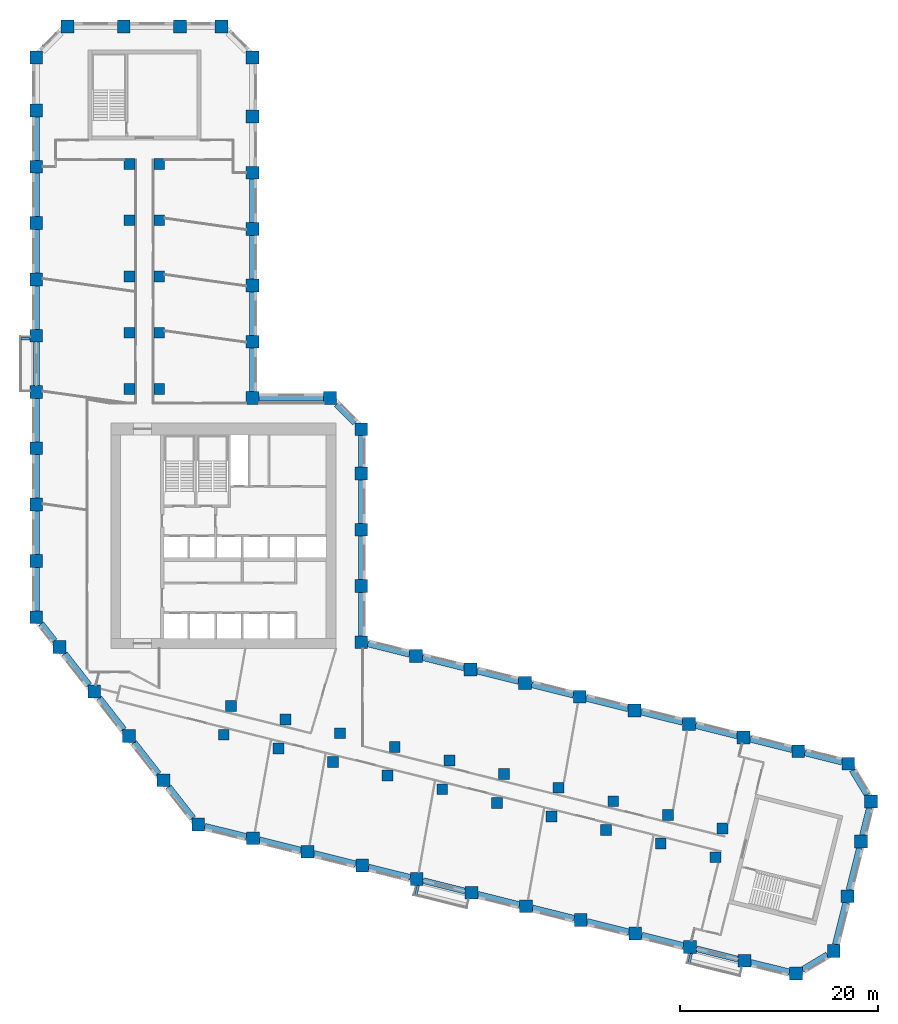
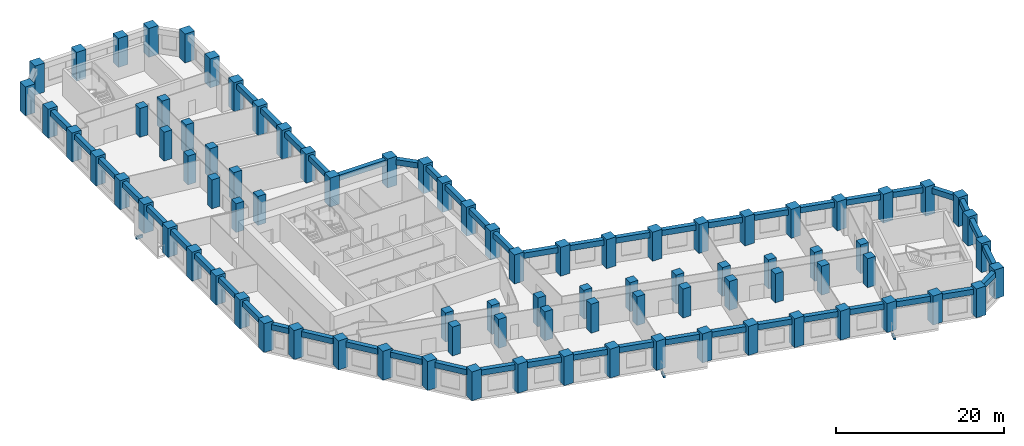
# One storey, part 1 of 10: 87 columns, 52 beams.
"""IFC4 building model written with IfcOpenShell, lengths in metres."""

from ifc_helpers import new_model, si_unit, direction, frame, origin, origin_2d, place, context, subcontext, project, spatial, rectangle, extrude, material, material_profile, profile_set, type_object, element, save


model = new_model("IFC4")

# Units and contexts
model_context = context("Model", 3, precision=1e-05, world=origin(), true_north=direction((0.0, 1.0)))
body_context = subcontext(model_context, "Body", "Model", "MODEL_VIEW")
ifc_project = project(units=[si_unit("LENGTHUNIT", "METRE"), si_unit("AREAUNIT", "SQUARE_METRE"), si_unit("VOLUMEUNIT", "CUBIC_METRE"), si_unit("PLANEANGLEUNIT", "RADIAN"), si_unit("MASSUNIT", "GRAM", prefix="KILO")], contexts=[model_context])

# Site, building, storey
site_placement = place(None, origin())
site = spatial("IfcSite", under=ifc_project, at=site_placement, CompositionType="ELEMENT")
building_placement = place(site_placement, origin())
building = spatial("IfcBuilding", under=site, at=building_placement, Name="Meshkara Civic Tower", CompositionType="ELEMENT")
storey_placement = place(building_placement, frame((0.0, 0.0, 118.199951171875)))
storey = spatial("IfcBuildingStorey", under=building, at=storey_placement, Name="L26", CompositionType="ELEMENT", Elevation=118.199951171875)

# Columns
ifc_material_1 = material(Name="Concrete C70", Category="concrete")
ifc_material_profile_1 = material_profile(ifc_material_1, rectangle(XDim=1.10009765625, YDim=1.10009765625, at=origin_2d()))
ifc_profile_set_1 = profile_set([ifc_material_profile_1], Name="Concrete C70")
column_type_1 = type_object("IfcColumnType", Name="Interior column RC 1100x1100 C70", PredefinedType="COLUMN", material=ifc_profile_set_1)
for number, where, z_axis, x_axis, name in (
    (1, (9.89990234375, 40.35009765625, 0.0), (0.0, 0.0, 1.0), (1.0, 0.0, 0.0), "Column SA1-04 L26"),
    (2, (9.89990234375, 46.050048828125, 0.0), (0.0, 0.0, 1.0), (1.0, 0.0, 0.0), "Column SA1-05 L26"),
    (3, (9.89990234375, 51.75, 0.0), (0.0, 0.0, 1.0), (1.0, 0.0, 0.0), "Column SA1-06 L26"),
    (4, (9.89990234375, 57.449951171875, 0.0), (0.0, 0.0, 1.0), (1.0, 0.0, 0.0), "Column SA1-07 L26"),
    (5, (9.89990234375, 63.14990234375, 0.0), (0.0, 0.0, 1.0), (1.0, 0.0, 0.0), "Column SA1-08 L26"),
    (6, (12.89990234375, 40.35009765625, 0.0), (0.0, 0.0, 1.0), (1.0, 0.0, 0.0), "Column SA2-04 L26"),
    (7, (12.89990234375, 46.050048828125, 0.0), (0.0, 0.0, 1.0), (1.0, 0.0, 0.0), "Column SA2-05 L26"),
    (8, (12.89990234375, 51.75, 0.0), (0.0, 0.0, 1.0), (1.0, 0.0, 0.0), "Column SA2-06 L26"),
    (9, (12.89990234375, 57.449951171875, 0.0), (0.0, 0.0, 1.0), (1.0, 0.0, 0.0), "Column SA2-07 L26"),
    (10, (12.89990234375, 63.14990234375, 0.0), (0.0, 0.0, 1.0), (1.0, 0.0, 0.0), "Column SA2-08 L26"),
    (11, (19.424072265625, 5.360107421875, 0.0), (0.0, 0.0, 1.0), (1.0, 0.0, 0.0), "Column SB1-00 L26"),
    (12, (24.9541015625, 3.98095703125, 0.0), (0.0, 0.0, 1.0), (1.0, 0.0, 0.0), "Column SB1-01 L26"),
    (13, (30.485107421875, 2.60205078125, 0.0), (0.0, 0.0, 1.0), (1.0, 0.0, 0.0), "Column SB1-02 L26"),
    (14, (36.01611328125, 1.222900390625, 0.0), (0.0, 0.0, 1.0), (1.0, 0.0, 0.0), "Column SB1-03 L26"),
    (15, (41.5458984375, -0.156005859375, 0.0), (0.0, 0.0, 1.0), (1.0, 0.0, 0.0), "Column SB1-04 L26"),
    (16, (47.076904296875, -1.534912109375, 0.0), (0.0, 0.0, 1.0), (1.0, 0.0, 0.0), "Column SB1-05 L26"),
    (17, (52.60791015625, -2.9140625, 0.0), (0.0, 0.0, 1.0), (1.0, 0.0, 0.0), "Column SB1-06 L26"),
    (18, (58.138916015625, -4.2919921875, 0.0), (0.0, 0.0, 1.0), (1.0, 0.0, 0.0), "Column SB1-07 L26"),
    (19, (63.6689453125, -5.6708984375, 0.0), (0.0, 0.0, 1.0), (1.0, 0.0, 0.0), "Column SB1-08 L26"),
    (20, (69.199951171875, -7.050048828125, 0.0), (0.0, 0.0, 1.0), (1.0, 0.0, 0.0), "Column SB1-09 L26"),
    (21, (20.14892578125, 8.27099609375, 0.0), (0.0, 0.0, 1.0), (1.0, 0.0, 0.0), "Column SB2-00 L26"),
    (22, (25.679931640625, 6.89208984375, 0.0), (0.0, 0.0, 1.0), (1.0, 0.0, 0.0), "Column SB2-01 L26"),
    (23, (31.2109375, 5.512939453125, 0.0), (0.0, 0.0, 1.0), (1.0, 0.0, 0.0), "Column SB2-02 L26"),
    (24, (36.741943359375, 4.134033203125, 0.0), (0.0, 0.0, 1.0), (1.0, 0.0, 0.0), "Column SB2-03 L26"),
    (25, (42.27197265625, 2.7548828125, 0.0), (0.0, 0.0, 1.0), (1.0, 0.0, 0.0), "Column SB2-04 L26"),
    (26, (47.802978515625, 1.3759765625, 0.0), (0.0, 0.0, 1.0), (1.0, 0.0, 0.0), "Column SB2-05 L26"),
    (27, (53.333984375, -0.0029296875, 0.0), (0.0, 0.0, 1.0), (1.0, 0.0, 0.0), "Column SB2-06 L26"),
    (28, (58.864013671875, -1.382080078125, 0.0), (0.0, 0.0, 1.0), (1.0, 0.0, 0.0), "Column SB2-07 L26"),
    (29, (64.39501953125, -2.760986328125, 0.0), (0.0, 0.0, 1.0), (1.0, 0.0, 0.0), "Column SB2-08 L26"),
    (30, (69.926025390625, -4.139892578125, 0.0), (0.0, 0.0, 1.0), (1.0, 0.0, 0.0), "Column SB2-09 L26"),
):
    element("IfcColumn", number, at=place(storey_placement, frame(where, z_axis=z_axis, x_axis=x_axis)), inside=storey, type_object=column_type_1, Name=name, PredefinedType="COLUMN", context=body_context, shape_type="SweptSolid", body=[
        extrude(rectangle(XDim=1.10009765625, YDim=1.10009765625, at=origin_2d()), origin(), (0.0, 0.0, 1.0), 4.199951171875),
    ])
ifc_material_2 = material(Name="Concrete C70", Category="concrete")
ifc_material_profile_2 = material_profile(ifc_material_2, rectangle(XDim=1.300048828125, YDim=1.300048828125, at=origin_2d()))
ifc_profile_set_2 = profile_set([ifc_material_profile_2], Name="Concrete C70")
column_type_2 = type_object("IfcColumnType", Name="Perimeter column RC 1300x1300 C70", PredefinedType="COLUMN", material=ifc_profile_set_2)
for number, where, z_axis, x_axis, name in (
    (31, (33.35009765625, 14.718994140625, 0.0), (0.0, 0.0, 1.0), (1.0, 0.0, 0.0), "Column HE00 L26"),
    (32, (33.35009765625, 20.4189453125, 0.0), (0.0, 0.0, 1.0), (1.0, 0.0, 0.0), "Column HE01 L26"),
    (33, (33.35009765625, 26.118896484375, 0.0), (0.0, 0.0, 1.0), (1.0, 0.0, 0.0), "Column HE02 L26"),
    (34, (33.35009765625, 31.819091796875, 0.0), (0.0, 0.0, 1.0), (1.0, 0.0, 0.0), "Column HE03 L26"),
    (35, (33.35009765625, 36.2939453125, 0.0), (0.0, 0.0, 1.0), (1.0, 0.0, 0.0), "Column HEE L26"),
    (36, (30.194091796875, 39.449951171875, 0.0), (0.0, 0.0, 1.0), (1.0, 0.0, 0.0), "Column HCeE L26"),
    (37, (22.35009765625, 39.449951171875, 0.0), (0.0, 0.0, 1.0), (1.0, 0.0, 0.0), "Column HN00 L26"),
    (38, (22.35009765625, 45.14990234375, 0.0), (0.0, 0.0, 1.0), (1.0, 0.0, 0.0), "Column AE01 L26"),
    (39, (22.35009765625, 50.85009765625, 0.0), (0.0, 0.0, 1.0), (1.0, 0.0, 0.0), "Column AE02 L26"),
    (40, (22.35009765625, 56.550048828125, 0.0), (0.0, 0.0, 1.0), (1.0, 0.0, 0.0), "Column AE03 L26"),
    (41, (22.35009765625, 62.25, 0.0), (0.0, 0.0, 1.0), (1.0, 0.0, 0.0), "Column AE04 L26"),
    (42, (22.35009765625, 67.949951171875, 0.0), (0.0, 0.0, 1.0), (1.0, 0.0, 0.0), "Column AE05 L26"),
    (43, (22.35009765625, 73.9140625, 0.0), (0.0, 0.0, 1.0), (1.0, 0.0, 0.0), "Column AEEP1 L26"),
    (44, (19.194091796875, 77.070068359375, 0.0), (0.0, 0.0, 1.0), (1.0, 0.0, 0.0), "Column ATiEP1 L26"),
    (45, (3.60595703125, 77.070068359375, 0.0), (0.0, 0.0, 1.0), (1.0, 0.0, 0.0), "Column AT00-P1 L26"),
    (46, (9.305908203125, 77.070068359375, 0.0), (0.0, 0.0, 1.0), (1.0, 0.0, 0.0), "Column AT01-P1 L26"),
    (47, (15.006103515625, 77.070068359375, 0.0), (0.0, 0.0, 1.0), (1.0, 0.0, 0.0), "Column AT02-P1 L26"),
    (48, (0.449951171875, 73.9140625, 0.0), (0.0, 0.0, 1.0), (1.0, 0.0, 0.0), "Column ATo00-P1 L26"),
    (49, (0.449951171875, 17.2548828125, 0.0), (0.0, 0.0, 1.0), (1.0, 0.0, 0.0), "Column AW00 L26"),
    (50, (0.449951171875, 22.955078125, 0.0), (0.0, 0.0, 1.0), (1.0, 0.0, 0.0), "Column AW01 L26"),
    (51, (0.449951171875, 28.655029296875, 0.0), (0.0, 0.0, 1.0), (1.0, 0.0, 0.0), "Column AW02 L26"),
    (52, (0.449951171875, 34.35498046875, 0.0), (0.0, 0.0, 1.0), (1.0, 0.0, 0.0), "Column AW03 L26"),
    (53, (0.449951171875, 40.054931640625, 0.0), (0.0, 0.0, 1.0), (1.0, 0.0, 0.0), "Column AW04 L26"),
    (54, (0.449951171875, 45.7548828125, 0.0), (0.0, 0.0, 1.0), (1.0, 0.0, 0.0), "Column AW05 L26"),
    (55, (0.449951171875, 51.455078125, 0.0), (0.0, 0.0, 1.0), (1.0, 0.0, 0.0), "Column AW06 L26"),
    (56, (0.449951171875, 57.155029296875, 0.0), (0.0, 0.0, 1.0), (1.0, 0.0, 0.0), "Column AW07 L26"),
    (57, (0.449951171875, 62.85498046875, 0.0), (0.0, 0.0, 1.0), (1.0, 0.0, 0.0), "Column AW08 L26"),
    (58, (0.449951171875, 68.554931640625, 0.0), (0.0, 0.0, 1.0), (1.0, 0.0, 0.0), "Column AW09 L26"),
    (59, (16.85107421875, -3.738037109375, 0.0), (0.0, 0.0, 1.0), (1.0, 0.0, 0.0), "Column BOW00 L26"),
    (60, (13.342041015625, 0.75390625, 0.0), (0.0, 0.0, 1.0), (1.0, 0.0, 0.0), "Column BOW01 L26"),
    (61, (9.8330078125, 5.2451171875, 0.0), (0.0, 0.0, 1.0), (1.0, 0.0, 0.0), "Column BOW02 L26"),
    (62, (6.322998046875, 9.737060546875, 0.0), (0.0, 0.0, 1.0), (1.0, 0.0, 0.0), "Column BOW03 L26"),
    (63, (2.81396484375, 14.22900390625, 0.0), (0.0, 0.0, 1.0), (1.0, 0.0, 0.0), "Column BOW04 L26"),
    (64, (22.382080078125, -5.116943359375, 0.0), (0.0, 0.0, 1.0), (1.0, 0.0, 0.0), "Column BS01 L26"),
    (65, (27.912109375, -6.49609375, 0.0), (0.0, 0.0, 1.0), (1.0, 0.0, 0.0), "Column BS02 L26"),
    (66, (33.443115234375, -7.875, 0.0), (0.0, 0.0, 1.0), (1.0, 0.0, 0.0), "Column BS03 L26"),
    (67, (38.97412109375, -9.2529296875, 0.0), (0.0, 0.0, 1.0), (1.0, 0.0, 0.0), "Column BS04-P1 L26"),
    (68, (44.5048828125, -10.632080078125, 0.0), (0.0, 0.0, 1.0), (1.0, 0.0, 0.0), "Column BS05 L26"),
    (69, (50.034912109375, -12.010986328125, 0.0), (0.0, 0.0, 1.0), (1.0, 0.0, 0.0), "Column BS06 L26"),
    (70, (55.56591796875, -13.389892578125, 0.0), (0.0, 0.0, 1.0), (1.0, 0.0, 0.0), "Column BS07 L26"),
    (71, (61.096923828125, -14.76904296875, 0.0), (0.0, 0.0, 1.0), (1.0, 0.0, 0.0), "Column BS08 L26"),
    (72, (66.626953125, -16.14794921875, 0.0), (0.0, 0.0, 1.0), (1.0, 0.0, 0.0), "Column BS09 L26"),
    (73, (72.157958984375, -17.527099609375, 0.0), (0.0, 0.0, 1.0), (1.0, 0.0, 0.0), "Column BS10 L26"),
    (74, (77.35791015625, -18.822998046875, 0.0), (0.0, 0.0, 1.0), (1.0, 0.0, 0.0), "Column BSEP1 L26"),
    (75, (81.18310546875, -16.52392578125, 0.0), (0.0, 0.0, 1.0), (1.0, 0.0, 0.0), "Column BToEP1 L26"),
    (76, (82.56201171875, -10.992919921875, 0.0), (0.0, 0.0, 1.0), (1.0, 0.0, 0.0), "Column BT01-P1 L26"),
    (77, (83.94091796875, -5.462890625, 0.0), (0.0, 0.0, 1.0), (1.0, 0.0, 0.0), "Column BT02-P1 L26"),
    (78, (84.9541015625, -1.39990234375, 0.0), (0.0, 0.0, 1.0), (1.0, 0.0, 0.0), "Column BTEP1 L26"),
    (79, (82.655029296875, 2.425048828125, 0.0), (0.0, 0.0, 1.0), (1.0, 0.0, 0.0), "Column BTi00-P1 L26"),
    (80, (38.881103515625, 13.340087890625, 0.0), (0.0, 0.0, 1.0), (1.0, 0.0, 0.0), "Column BN01 L26"),
    (81, (44.410888671875, 11.9609375, 0.0), (0.0, 0.0, 1.0), (1.0, 0.0, 0.0), "Column BN02 L26"),
    (82, (49.94189453125, 10.58203125, 0.0), (0.0, 0.0, 1.0), (1.0, 0.0, 0.0), "Column BN03 L26"),
    (83, (55.472900390625, 9.202880859375, 0.0), (0.0, 0.0, 1.0), (1.0, 0.0, 0.0), "Column BN04 L26"),
    (84, (61.0029296875, 7.823974609375, 0.0), (0.0, 0.0, 1.0), (1.0, 0.0, 0.0), "Column BN05 L26"),
    (85, (66.533935546875, 6.445068359375, 0.0), (0.0, 0.0, 1.0), (1.0, 0.0, 0.0), "Column BN06 L26"),
    (86, (72.06494140625, 5.06591796875, 0.0), (0.0, 0.0, 1.0), (1.0, 0.0, 0.0), "Column BN07 L26"),
    (87, (77.594970703125, 3.68701171875, 0.0), (0.0, 0.0, 1.0), (1.0, 0.0, 0.0), "Column BN08 L26"),
):
    element("IfcColumn", number, at=place(storey_placement, frame(where, z_axis=z_axis, x_axis=x_axis)), inside=storey, type_object=column_type_2, Name=name, PredefinedType="COLUMN", context=body_context, shape_type="SweptSolid", body=[
        extrude(rectangle(XDim=1.300048828125, YDim=1.300048828125, at=origin_2d()), origin(), (0.0, 0.0, 1.0), 4.199951171875),
    ])

# Beams
ifc_material_3 = material(Name="Concrete C50", Category="concrete")
ifc_material_profile_3 = material_profile(ifc_material_3, rectangle(XDim=0.25, YDim=0.39990234375, at=origin_2d()))
ifc_profile_set_3 = profile_set([ifc_material_profile_3], Name="Concrete C50")
beam_type_1 = type_object("IfcBeamType", Name="Balcony bracket beam RC 250x400 C50", PredefinedType="BEAM", material=ifc_profile_set_3)
beam_1_placement = place(storey_placement, frame((-0.195068359375, 45.455078125, -0.5), z_axis=(-1.0, 0.0, 0.0), x_axis=(0.0, -1.0, 0.0)))
element("IfcBeam", 88, at=beam_1_placement, inside=storey, type_object=beam_type_1, Name="Balcony bracket beam", PredefinedType="BEAM", context=body_context, shape_type="SweptSolid", body=[
    extrude(rectangle(XDim=0.25, YDim=0.39990234375, at=origin_2d()), origin(), (0.0, 0.0, 1.0), 0.905029296875),
])
beam_2_placement = place(storey_placement, frame((39.1220703125, -9.89794921875, -0.5), z_axis=(-0.24169832891, -0.970351440357, 0.0), x_axis=(0.970351440357, -0.24169832891, 0.0)))
element("IfcBeam", 89, at=beam_2_placement, inside=storey, type_object=beam_type_1, Name="Balcony bracket beam", PredefinedType="BEAM", context=body_context, shape_type="SweptSolid", body=[
    extrude(rectangle(XDim=0.25, YDim=0.39990234375, at=origin_2d()), origin(), (0.0, 0.0, 1.0), 0.960693359375),
])
beam_3_placement = place(storey_placement, frame((66.77490234375, -16.79296875, -0.5), z_axis=(-0.241697450497, -0.970351659154, 0.0), x_axis=(0.970351659154, -0.241697450497, 0.0)))
element("IfcBeam", 90, at=beam_3_placement, inside=storey, type_object=beam_type_1, Name="Balcony bracket beam", PredefinedType="BEAM", context=body_context, shape_type="SweptSolid", body=[
    extrude(rectangle(XDim=0.25, YDim=0.39990234375, at=origin_2d()), origin(), (0.0, 0.0, 1.0), 0.959716796875),
])
ifc_material_4 = material(Name="Concrete C70", Category="concrete")
ifc_material_profile_4 = material_profile(ifc_material_4, rectangle(XDim=0.60009765625, YDim=0.800048828125, at=origin_2d()))
ifc_profile_set_4 = profile_set([ifc_material_profile_4], Name="Concrete C70")
beam_type_2 = type_object("IfcBeamType", Name="Spandrel beam RC 600x800 C70", PredefinedType="BEAM", material=ifc_profile_set_4)
beam_4_placement = place(storey_placement, frame((76.949951171875, 3.847900390625, 3.5), z_axis=(-0.970293497888, 0.241930832999, 0.0), x_axis=(-0.241930832999, -0.970293497888, 0.0)))
element("IfcBeam", 91, at=beam_4_placement, inside=storey, type_object=beam_type_2, Name="Spandrel beam BN07-BN08", PredefinedType="BEAM", context=body_context, shape_type="SweptSolid", body=[
    extrude(rectangle(XDim=0.60009765625, YDim=0.800048828125, at=origin_2d()), origin(), (0.0, 0.0, 1.0), 4.36962890625),
])
for number, where, z_axis, x_axis, name in (
    (92, (71.419921875, 5.226806640625, 3.5), (-0.970293463154, 0.241930972304, 0.0), (-0.241930972304, -0.970293463154, 0.0), "Spandrel beam BN06-BN07"),
    (93, (65.888916015625, 6.605712890625, 3.5), (-0.970293463154, 0.241930972304, 0.0), (-0.241930972304, -0.970293463154, 0.0), "Spandrel beam BN05-BN06"),
):
    element("IfcBeam", number, at=place(storey_placement, frame(where, z_axis=z_axis, x_axis=x_axis)), inside=storey, type_object=beam_type_2, Name=name, PredefinedType="BEAM", context=body_context, shape_type="SweptSolid", body=[
        extrude(rectangle(XDim=0.60009765625, YDim=0.800048828125, at=origin_2d()), origin(), (0.0, 0.0, 1.0), 4.37060546875),
    ])
beam_5_placement = place(storey_placement, frame((60.35791015625, 7.98486328125, 3.5), z_axis=(-0.970293497888, 0.241930832999, 0.0), x_axis=(-0.241930832999, -0.970293497888, 0.0)))
element("IfcBeam", 94, at=beam_5_placement, inside=storey, type_object=beam_type_2, Name="Spandrel beam BN04-BN05", PredefinedType="BEAM", context=body_context, shape_type="SweptSolid", body=[
    extrude(rectangle(XDim=0.60009765625, YDim=0.800048828125, at=origin_2d()), origin(), (0.0, 0.0, 1.0), 4.36962890625),
])
for number, where, z_axis, x_axis, name in (
    (95, (54.827880859375, 9.36376953125, 3.5), (-0.970293463154, 0.241930972304, 0.0), (-0.241930972304, -0.970293463154, 0.0), "Spandrel beam BN03-BN04"),
    (96, (49.296875, 10.742919921875, 3.5), (-0.970293463154, 0.241930972304, 0.0), (-0.241930972304, -0.970293463154, 0.0), "Spandrel beam BN02-BN03"),
):
    element("IfcBeam", number, at=place(storey_placement, frame(where, z_axis=z_axis, x_axis=x_axis)), inside=storey, type_object=beam_type_2, Name=name, PredefinedType="BEAM", context=body_context, shape_type="SweptSolid", body=[
        extrude(rectangle(XDim=0.60009765625, YDim=0.800048828125, at=origin_2d()), origin(), (0.0, 0.0, 1.0), 4.37060546875),
    ])
beam_6_placement = place(storey_placement, frame((43.765869140625, 12.121826171875, 3.5), z_axis=(-0.970280380753, 0.241983434817, 0.0), x_axis=(-0.241983434817, -0.970280380753, 0.0)))
element("IfcBeam", 97, at=beam_6_placement, inside=storey, type_object=beam_type_2, Name="Spandrel beam BN01-BN02", PredefinedType="BEAM", context=body_context, shape_type="SweptSolid", body=[
    extrude(rectangle(XDim=0.60009765625, YDim=0.800048828125, at=origin_2d()), origin(), (0.0, 0.0, 1.0), 4.36962890625),
])
beam_7_placement = place(storey_placement, frame((38.23583984375, 13.500732421875, 3.5), z_axis=(-0.970293463154, 0.241930972304, 0.0), x_axis=(-0.241930972304, -0.970293463154, 0.0)))
element("IfcBeam", 98, at=beam_7_placement, inside=storey, type_object=beam_type_2, Name="Spandrel beam BN01-HE00", PredefinedType="BEAM", context=body_context, shape_type="SweptSolid", body=[
    extrude(rectangle(XDim=0.60009765625, YDim=0.800048828125, at=origin_2d()), origin(), (0.0, 0.0, 1.0), 4.37060546875),
])
beam_8_placement = place(storey_placement, frame((33.35009765625, 15.364013671875, 3.5), z_axis=(0.0, 1.0, 0.0), x_axis=(-1.0, 0.0, 0.0)))
element("IfcBeam", 99, at=beam_8_placement, inside=storey, type_object=beam_type_2, Name="Spandrel beam HE00-HE01", PredefinedType="BEAM", context=body_context, shape_type="SweptSolid", body=[
    extrude(rectangle(XDim=0.60009765625, YDim=0.800048828125, at=origin_2d()), origin(), (0.0, 0.0, 1.0), 4.409912109375),
])
for number, where, z_axis, x_axis, name in (
    (100, (33.35009765625, 21.06396484375, 3.5), (0.0, 1.0, 0.0), (-1.0, 0.0, 0.0), "Spandrel beam HE01-HE02"),
    (101, (33.35009765625, 26.763916015625, 3.5), (0.0, 1.0, 0.0), (-1.0, 0.0, 0.0), "Spandrel beam HE02-HE03"),
):
    element("IfcBeam", number, at=place(storey_placement, frame(where, z_axis=z_axis, x_axis=x_axis)), inside=storey, type_object=beam_type_2, Name=name, PredefinedType="BEAM", context=body_context, shape_type="SweptSolid", body=[
        extrude(rectangle(XDim=0.60009765625, YDim=0.800048828125, at=origin_2d()), origin(), (0.0, 0.0, 1.0), 4.41015625),
    ])
beam_9_placement = place(storey_placement, frame((33.35009765625, 32.464111328125, 3.5), z_axis=(0.0, 1.0, 0.0), x_axis=(-1.0, 0.0, 0.0)))
element("IfcBeam", 102, at=beam_9_placement, inside=storey, type_object=beam_type_2, Name="Spandrel beam HE03-HEE", PredefinedType="BEAM", context=body_context, shape_type="SweptSolid", body=[
    extrude(rectangle(XDim=0.60009765625, YDim=0.800048828125, at=origin_2d()), origin(), (0.0, 0.0, 1.0), 3.184814453125),
])
beam_10_placement = place(storey_placement, frame((32.70361328125, 36.9404296875, 3.5), z_axis=(-0.707106781187, 0.707106781187, 0.0), x_axis=(-0.707106781187, -0.707106781187, 0.0)))
element("IfcBeam", 103, at=beam_10_placement, inside=storey, type_object=beam_type_2, Name="Spandrel beam HCeE-HEE", PredefinedType="BEAM", context=body_context, shape_type="SweptSolid", body=[
    extrude(rectangle(XDim=0.60009765625, YDim=0.800048828125, at=origin_2d()), origin(), (0.0, 0.0, 1.0), 2.634765625),
])
beam_11_placement = place(storey_placement, frame((29.549072265625, 39.449951171875, 3.5), z_axis=(-1.0, 0.0, 0.0), x_axis=(0.0, -1.0, 0.0)))
element("IfcBeam", 104, at=beam_11_placement, inside=storey, type_object=beam_type_2, Name="Spandrel beam HCeE-HN00", PredefinedType="BEAM", context=body_context, shape_type="SweptSolid", body=[
    extrude(rectangle(XDim=0.60009765625, YDim=0.800048828125, at=origin_2d()), origin(), (0.0, 0.0, 1.0), 6.553955078125),
])
beam_12_placement = place(storey_placement, frame((22.35009765625, 40.094970703125, 3.5), z_axis=(0.0, 1.0, 0.0), x_axis=(-1.0, 0.0, 0.0)))
element("IfcBeam", 105, at=beam_12_placement, inside=storey, type_object=beam_type_2, Name="Spandrel beam AE01-HN00", PredefinedType="BEAM", context=body_context, shape_type="SweptSolid", body=[
    extrude(rectangle(XDim=0.60009765625, YDim=0.800048828125, at=origin_2d()), origin(), (0.0, 0.0, 1.0), 4.409912109375),
])
beam_13_placement = place(storey_placement, frame((22.35009765625, 45.794921875, 3.5), z_axis=(0.0, 1.0, 0.0), x_axis=(-1.0, 0.0, 0.0)))
element("IfcBeam", 106, at=beam_13_placement, inside=storey, type_object=beam_type_2, Name="Spandrel beam AE01-AE02", PredefinedType="BEAM", context=body_context, shape_type="SweptSolid", body=[
    extrude(rectangle(XDim=0.60009765625, YDim=0.800048828125, at=origin_2d()), origin(), (0.0, 0.0, 1.0), 4.41015625),
])
for number, where, z_axis, x_axis, name in (
    (107, (22.35009765625, 51.4951171875, 3.5), (0.0, 1.0, 0.0), (-1.0, 0.0, 0.0), "Spandrel beam AE02-AE03"),
    (108, (22.35009765625, 57.195068359375, 3.5), (0.0, 1.0, 0.0), (-1.0, 0.0, 0.0), "Spandrel beam AE03-AE04"),
    (109, (0.449951171875, 67.909912109375, 3.5), (0.0, -1.0, 0.0), (1.0, 0.0, 0.0), "Spandrel beam AW08-AW09"),
    (110, (0.449951171875, 62.2099609375, 3.5), (0.0, -1.0, 0.0), (1.0, 0.0, 0.0), "Spandrel beam AW07-AW08"),
    (111, (0.449951171875, 56.510009765625, 3.5), (0.0, -1.0, 0.0), (1.0, 0.0, 0.0), "Spandrel beam AW06-AW07"),
):
    element("IfcBeam", number, at=place(storey_placement, frame(where, z_axis=z_axis, x_axis=x_axis)), inside=storey, type_object=beam_type_2, Name=name, PredefinedType="BEAM", context=body_context, shape_type="SweptSolid", body=[
        extrude(rectangle(XDim=0.60009765625, YDim=0.800048828125, at=origin_2d()), origin(), (0.0, 0.0, 1.0), 4.409912109375),
    ])
for number, where, z_axis, x_axis, name in (
    (112, (0.449951171875, 50.81005859375, 3.5), (0.0, -1.0, 0.0), (1.0, 0.0, 0.0), "Spandrel beam AW05-AW06"),
    (113, (0.449951171875, 45.110107421875, 3.5), (0.0, -1.0, 0.0), (1.0, 0.0, 0.0), "Spandrel beam AW04-AW05"),
):
    element("IfcBeam", number, at=place(storey_placement, frame(where, z_axis=z_axis, x_axis=x_axis)), inside=storey, type_object=beam_type_2, Name=name, PredefinedType="BEAM", context=body_context, shape_type="SweptSolid", body=[
        extrude(rectangle(XDim=0.60009765625, YDim=0.800048828125, at=origin_2d()), origin(), (0.0, 0.0, 1.0), 4.41015625),
    ])
for number, where, z_axis, x_axis, name in (
    (114, (0.449951171875, 39.409912109375, 3.5), (0.0, -1.0, 0.0), (1.0, 0.0, 0.0), "Spandrel beam AW03-AW04"),
    (115, (0.449951171875, 33.7099609375, 3.5), (0.0, -1.0, 0.0), (1.0, 0.0, 0.0), "Spandrel beam AW02-AW03"),
    (116, (0.449951171875, 28.010009765625, 3.5), (0.0, -1.0, 0.0), (1.0, 0.0, 0.0), "Spandrel beam AW01-AW02"),
):
    element("IfcBeam", number, at=place(storey_placement, frame(where, z_axis=z_axis, x_axis=x_axis)), inside=storey, type_object=beam_type_2, Name=name, PredefinedType="BEAM", context=body_context, shape_type="SweptSolid", body=[
        extrude(rectangle(XDim=0.60009765625, YDim=0.800048828125, at=origin_2d()), origin(), (0.0, 0.0, 1.0), 4.409912109375),
    ])
beam_14_placement = place(storey_placement, frame((0.449951171875, 22.31005859375, 3.5), z_axis=(0.0, -1.0, 0.0), x_axis=(1.0, 0.0, 0.0)))
element("IfcBeam", 117, at=beam_14_placement, inside=storey, type_object=beam_type_2, Name="Spandrel beam AW00-AW01", PredefinedType="BEAM", context=body_context, shape_type="SweptSolid", body=[
    extrude(rectangle(XDim=0.60009765625, YDim=0.800048828125, at=origin_2d()), origin(), (0.0, 0.0, 1.0), 4.41015625),
])
beam_15_placement = place(storey_placement, frame((0.95458984375, 16.60888671875, 3.5), z_axis=(0.61568279769, -0.787994094286, 0.0), x_axis=(0.787994094286, 0.61568279769, 0.0)))
element("IfcBeam", 118, at=beam_15_placement, inside=storey, type_object=beam_type_2, Name="Spandrel beam AW00-BOW04", PredefinedType="BEAM", context=body_context, shape_type="SweptSolid", body=[
    extrude(rectangle(XDim=0.60009765625, YDim=0.800048828125, at=origin_2d()), origin(), (0.0, 0.0, 1.0), 2.200439453125),
])
beam_16_placement = place(storey_placement, frame((3.318603515625, 13.5830078125, 3.5), z_axis=(0.615612539127, -0.788048984309, 0.0), x_axis=(0.788048984309, 0.615612539127, 0.0)))
element("IfcBeam", 119, at=beam_16_placement, inside=storey, type_object=beam_type_2, Name="Spandrel beam BOW03-BOW04", PredefinedType="BEAM", context=body_context, shape_type="SweptSolid", body=[
    extrude(rectangle(XDim=0.60009765625, YDim=0.800048828125, at=origin_2d()), origin(), (0.0, 0.0, 1.0), 4.060546875),
])
beam_17_placement = place(storey_placement, frame((6.827880859375, 9.0908203125, 3.5), z_axis=(0.615716376188, -0.787967857272, 0.0), x_axis=(0.787967857272, 0.615716376188, 0.0)))
element("IfcBeam", 120, at=beam_17_placement, inside=storey, type_object=beam_type_2, Name="Spandrel beam BOW02-BOW03", PredefinedType="BEAM", context=body_context, shape_type="SweptSolid", body=[
    extrude(rectangle(XDim=0.60009765625, YDim=0.800048828125, at=origin_2d()), origin(), (0.0, 0.0, 1.0), 4.060791015625),
])
beam_18_placement = place(storey_placement, frame((10.337890625, 4.598876953125, 3.5), z_axis=(0.61568372316, -0.787993371188, 0.0), x_axis=(0.787993371188, 0.61568372316, 0.0)))
element("IfcBeam", 121, at=beam_18_placement, inside=storey, type_object=beam_type_2, Name="Spandrel beam BOW01-BOW02", PredefinedType="BEAM", context=body_context, shape_type="SweptSolid", body=[
    extrude(rectangle(XDim=0.60009765625, YDim=0.800048828125, at=origin_2d()), origin(), (0.0, 0.0, 1.0), 4.059326171875),
])
beam_19_placement = place(storey_placement, frame((13.8466796875, 0.10791015625, 3.5), z_axis=(0.615604368214, -0.78805536724, 0.0), x_axis=(0.78805536724, 0.615604368214, 0.0)))
element("IfcBeam", 122, at=beam_19_placement, inside=storey, type_object=beam_type_2, Name="Spandrel beam BOW00-BOW01", PredefinedType="BEAM", context=body_context, shape_type="SweptSolid", body=[
    extrude(rectangle(XDim=0.60009765625, YDim=0.800048828125, at=origin_2d()), origin(), (0.0, 0.0, 1.0), 4.060302734375),
])
beam_20_placement = place(storey_placement, frame((17.49609375, -3.898681640625, 3.5), z_axis=(0.970280349033, -0.241983562004, 0.0), x_axis=(0.241983562004, 0.970280349033, 0.0)))
element("IfcBeam", 123, at=beam_20_placement, inside=storey, type_object=beam_type_2, Name="Spandrel beam BOW00-BS01", PredefinedType="BEAM", context=body_context, shape_type="SweptSolid", body=[
    extrude(rectangle(XDim=0.60009765625, YDim=0.800048828125, at=origin_2d()), origin(), (0.0, 0.0, 1.0), 4.37060546875),
])
beam_21_placement = place(storey_placement, frame((23.027099609375, -5.27783203125, 3.5), z_axis=(0.970280380753, -0.241983434817, 0.0), x_axis=(0.241983434817, 0.970280380753, 0.0)))
element("IfcBeam", 124, at=beam_21_placement, inside=storey, type_object=beam_type_2, Name="Spandrel beam BS01-BS02", PredefinedType="BEAM", context=body_context, shape_type="SweptSolid", body=[
    extrude(rectangle(XDim=0.60009765625, YDim=0.800048828125, at=origin_2d()), origin(), (0.0, 0.0, 1.0), 4.36962890625),
])
beam_22_placement = place(storey_placement, frame((28.55712890625, -6.65673828125, 3.5), z_axis=(0.970293463154, -0.241930972304, 0.0), x_axis=(0.241930972304, 0.970293463154, 0.0)))
element("IfcBeam", 125, at=beam_22_placement, inside=storey, type_object=beam_type_2, Name="Spandrel beam BS02-BS03", PredefinedType="BEAM", context=body_context, shape_type="SweptSolid", body=[
    extrude(rectangle(XDim=0.60009765625, YDim=0.800048828125, at=origin_2d()), origin(), (0.0, 0.0, 1.0), 4.37060546875),
])
beam_23_placement = place(storey_placement, frame((34.088134765625, -8.03564453125, 3.5), z_axis=(0.97033279054, -0.241773190412, 0.0), x_axis=(0.241773190412, 0.97033279054, 0.0)))
element("IfcBeam", 126, at=beam_23_placement, inside=storey, type_object=beam_type_2, Name="Spandrel beam BS03-BS04-P1", PredefinedType="BEAM", context=body_context, shape_type="SweptSolid", body=[
    extrude(rectangle(XDim=0.60009765625, YDim=0.800048828125, at=origin_2d()), origin(), (0.0, 0.0, 1.0), 4.370361328125),
])
beam_24_placement = place(storey_placement, frame((39.619140625, -9.413818359375, 3.5), z_axis=(0.970293463154, -0.241930972304, 0.0), x_axis=(0.241930972304, 0.970293463154, 0.0)))
element("IfcBeam", 127, at=beam_24_placement, inside=storey, type_object=beam_type_2, Name="Spandrel beam BS04-P1-BS05", PredefinedType="BEAM", context=body_context, shape_type="SweptSolid", body=[
    extrude(rectangle(XDim=0.60009765625, YDim=0.800048828125, at=origin_2d()), origin(), (0.0, 0.0, 1.0), 4.37060546875),
])
beam_25_placement = place(storey_placement, frame((45.150146484375, -10.79296875, 3.5), z_axis=(0.970293497888, -0.241930832999, 0.0), x_axis=(0.241930832999, 0.970293497888, 0.0)))
element("IfcBeam", 128, at=beam_25_placement, inside=storey, type_object=beam_type_2, Name="Spandrel beam BS05-BS06", PredefinedType="BEAM", context=body_context, shape_type="SweptSolid", body=[
    extrude(rectangle(XDim=0.60009765625, YDim=0.800048828125, at=origin_2d()), origin(), (0.0, 0.0, 1.0), 4.36962890625),
])
for number, where, z_axis, x_axis, name in (
    (129, (50.68017578125, -12.171875, 3.5), (0.970293463154, -0.241930972304, 0.0), (0.241930972304, 0.970293463154, 0.0), "Spandrel beam BS06-BS07"),
    (130, (56.211181640625, -13.55078125, 3.5), (0.970293463154, -0.241930972304, 0.0), (0.241930972304, 0.970293463154, 0.0), "Spandrel beam BS07-BS08"),
):
    element("IfcBeam", number, at=place(storey_placement, frame(where, z_axis=z_axis, x_axis=x_axis)), inside=storey, type_object=beam_type_2, Name=name, PredefinedType="BEAM", context=body_context, shape_type="SweptSolid", body=[
        extrude(rectangle(XDim=0.60009765625, YDim=0.800048828125, at=origin_2d()), origin(), (0.0, 0.0, 1.0), 4.37060546875),
    ])
beam_26_placement = place(storey_placement, frame((61.7421875, -14.929931640625, 3.5), z_axis=(0.970293497888, -0.241930832999, 0.0), x_axis=(0.241930832999, 0.970293497888, 0.0)))
element("IfcBeam", 131, at=beam_26_placement, inside=storey, type_object=beam_type_2, Name="Spandrel beam BS08-BS09", PredefinedType="BEAM", context=body_context, shape_type="SweptSolid", body=[
    extrude(rectangle(XDim=0.60009765625, YDim=0.800048828125, at=origin_2d()), origin(), (0.0, 0.0, 1.0), 4.36962890625),
])
beam_27_placement = place(storey_placement, frame((67.272216796875, -16.308837890625, 3.5), z_axis=(0.970293463154, -0.241930972304, 0.0), x_axis=(0.241930972304, 0.970293463154, 0.0)))
element("IfcBeam", 132, at=beam_27_placement, inside=storey, type_object=beam_type_2, Name="Spandrel beam BS09-BS10", PredefinedType="BEAM", context=body_context, shape_type="SweptSolid", body=[
    extrude(rectangle(XDim=0.60009765625, YDim=0.800048828125, at=origin_2d()), origin(), (0.0, 0.0, 1.0), 4.37060546875),
])
beam_28_placement = place(storey_placement, frame((72.802978515625, -17.687744140625, 3.5), z_axis=(0.970323993045, -0.241808495551, 0.0), x_axis=(0.241808495551, 0.970323993045, 0.0)))
element("IfcBeam", 133, at=beam_28_placement, inside=storey, type_object=beam_type_2, Name="Spandrel beam BS10-BSEP1", PredefinedType="BEAM", context=body_context, shape_type="SweptSolid", body=[
    extrude(rectangle(XDim=0.60009765625, YDim=0.800048828125, at=origin_2d()), origin(), (0.0, 0.0, 1.0), 4.029541015625),
])
beam_29_placement = place(storey_placement, frame((78.003662109375, -18.434814453125, 3.5), z_axis=(0.857121046107, 0.515115047655, 0.0), x_axis=(-0.515115047655, 0.857121046107, 0.0)))
element("IfcBeam", 134, at=beam_29_placement, inside=storey, type_object=beam_type_2, Name="Spandrel beam BSEP1-BToEP1", PredefinedType="BEAM", context=body_context, shape_type="SweptSolid", body=[
    extrude(rectangle(XDim=0.60009765625, YDim=0.800048828125, at=origin_2d()), origin(), (0.0, 0.0, 1.0), 2.9560546875),
])
beam_30_placement = place(storey_placement, frame((81.34375, -15.87890625, 3.5), z_axis=(0.241930972304, 0.970293463154, 0.0), x_axis=(-0.970293463154, 0.241930972304, 0.0)))
element("IfcBeam", 135, at=beam_30_placement, inside=storey, type_object=beam_type_2, Name="Spandrel beam BT01-P1-BToEP1", PredefinedType="BEAM", context=body_context, shape_type="SweptSolid", body=[
    extrude(rectangle(XDim=0.60009765625, YDim=0.800048828125, at=origin_2d()), origin(), (0.0, 0.0, 1.0), 4.37060546875),
])
beam_31_placement = place(storey_placement, frame((82.722900390625, -10.347900390625, 3.5), z_axis=(0.241930832999, 0.970293497888, 0.0), x_axis=(-0.970293497888, 0.241930832999, 0.0)))
element("IfcBeam", 136, at=beam_31_placement, inside=storey, type_object=beam_type_2, Name="Spandrel beam BT01-P1-BT02-P1", PredefinedType="BEAM", context=body_context, shape_type="SweptSolid", body=[
    extrude(rectangle(XDim=0.60009765625, YDim=0.800048828125, at=origin_2d()), origin(), (0.0, 0.0, 1.0), 4.36962890625),
])
beam_32_placement = place(storey_placement, frame((84.101806640625, -4.81787109375, 3.5), z_axis=(0.241952611346, 0.970288067464, 0.0), x_axis=(-0.970288067464, 0.241952611346, 0.0)))
element("IfcBeam", 137, at=beam_32_placement, inside=storey, type_object=beam_type_2, Name="Spandrel beam BT02-P1-BTEP1", PredefinedType="BEAM", context=body_context, shape_type="SweptSolid", body=[
    extrude(rectangle(XDim=0.60009765625, YDim=0.800048828125, at=origin_2d()), origin(), (0.0, 0.0, 1.0), 2.857666015625),
])
beam_33_placement = place(storey_placement, frame((84.56591796875, -0.75439453125, 3.5), z_axis=(-0.515115047655, 0.857121046107, 0.0), x_axis=(-0.857121046107, -0.515115047655, 0.0)))
element("IfcBeam", 138, at=beam_33_placement, inside=storey, type_object=beam_type_2, Name="Spandrel beam BTEP1-BTi00-P1", PredefinedType="BEAM", context=body_context, shape_type="SweptSolid", body=[
    extrude(rectangle(XDim=0.60009765625, YDim=0.800048828125, at=origin_2d()), origin(), (0.0, 0.0, 1.0), 2.9560546875),
])
beam_34_placement = place(storey_placement, frame((82.010009765625, 2.5859375, 3.5), z_axis=(-0.970282789967, 0.241973774392, 0.0), x_axis=(-0.241973774392, -0.970282789967, 0.0)))
element("IfcBeam", 139, at=beam_34_placement, inside=storey, type_object=beam_type_2, Name="Spandrel beam BN08-BTi00-P1", PredefinedType="BEAM", context=body_context, shape_type="SweptSolid", body=[
    extrude(rectangle(XDim=0.60009765625, YDim=0.800048828125, at=origin_2d()), origin(), (0.0, 0.0, 1.0), 3.885498046875),
])

save(model, "model.ifc")
